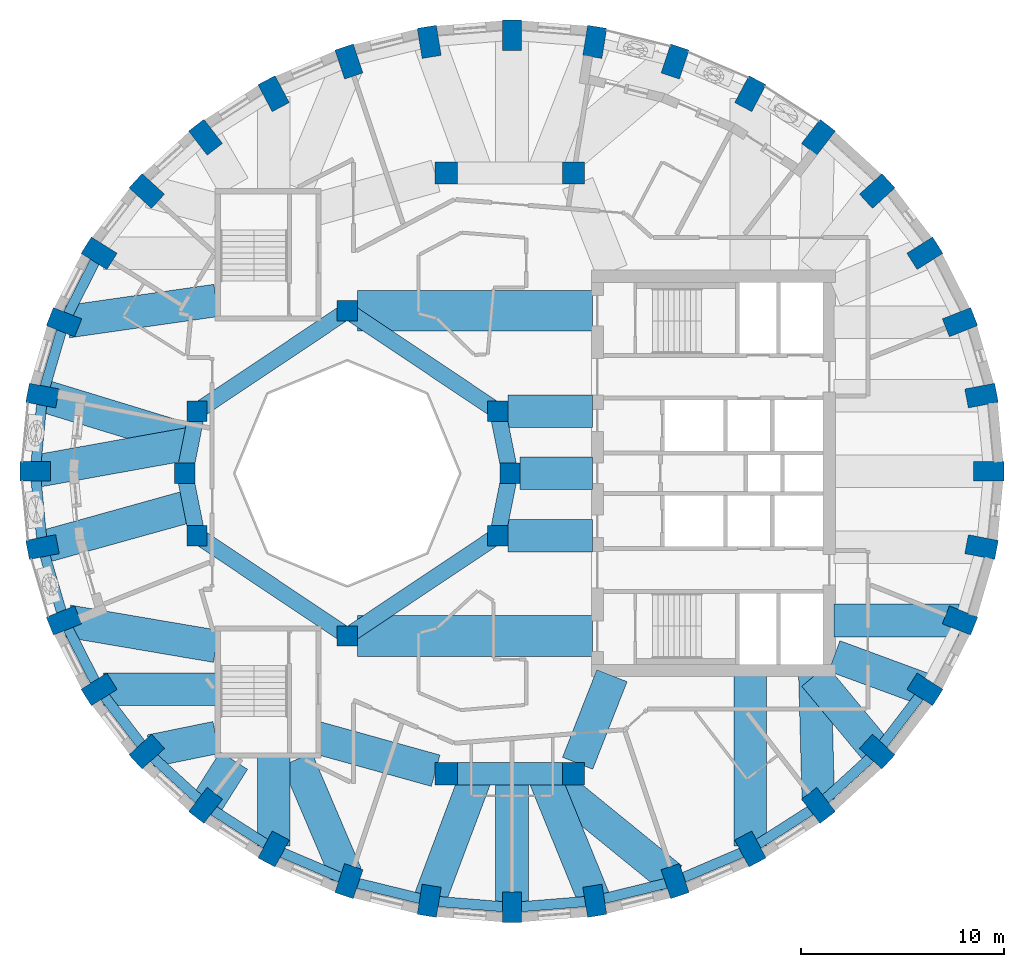
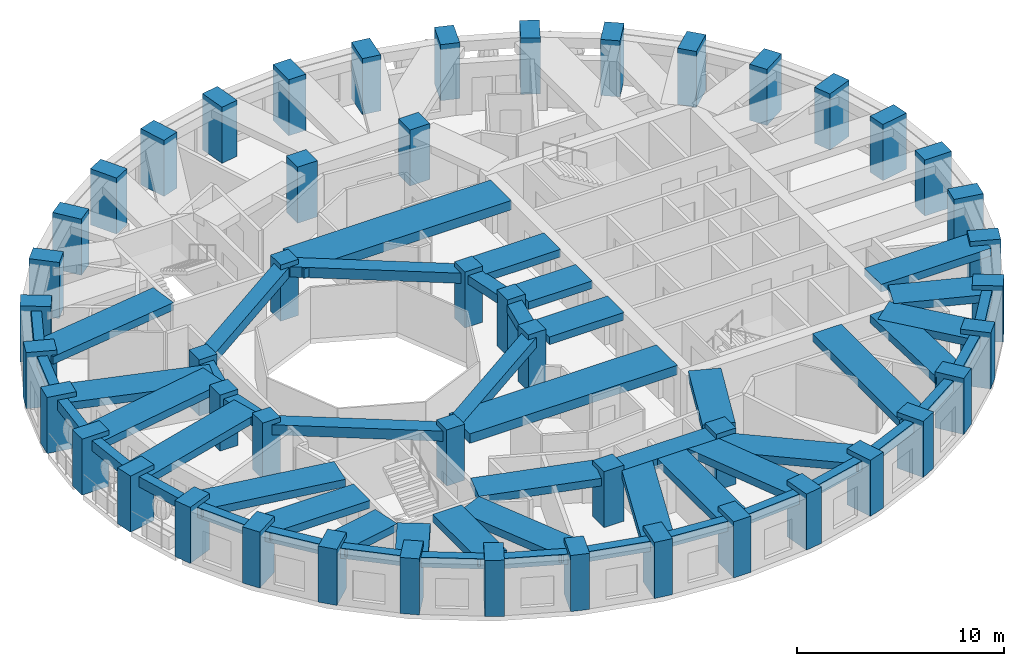
# One storey, part 1 of 12: 53 beams, 48 columns.
"""IFC4 building model written with IfcOpenShell, lengths in metres."""

from ifc_helpers import new_model, si_unit, direction, frame, origin, origin_2d, place, context, subcontext, project, spatial, rectangle, extrude, material, material_profile, profile_set, type_object, element, save


model = new_model("IFC4")

# Units and contexts
model_context = context("Model", 3, precision=1e-05, world=origin(), true_north=direction((0.0, 1.0)))
body_context = subcontext(model_context, "Body", "Model", "MODEL_VIEW")
ifc_project = project(units=[si_unit("LENGTHUNIT", "METRE"), si_unit("AREAUNIT", "SQUARE_METRE"), si_unit("VOLUMEUNIT", "CUBIC_METRE"), si_unit("PLANEANGLEUNIT", "RADIAN"), si_unit("MASSUNIT", "GRAM", prefix="KILO")], contexts=[model_context])

# Site, building, storey
site_placement = place(None, origin())
site = spatial("IfcSite", under=ifc_project, at=site_placement, CompositionType="ELEMENT")
building_placement = place(site_placement, origin())
building = spatial("IfcBuilding", under=site, at=building_placement, Name="Taillehof Tower", CompositionType="ELEMENT")
storey_placement = place(building_placement, frame((0.0, 0.0, 148.39990234375)))
storey = spatial("IfcBuildingStorey", under=building, at=storey_placement, Name="L41", CompositionType="ELEMENT", Elevation=148.39990234375)

# Columns
ifc_material_1 = material(Name="Concrete C50/60", Category="concrete")
ifc_material_profile_1 = material_profile(ifc_material_1, rectangle(XDim=1.0, YDim=1.0, at=origin_2d()), Name="RC 1000x1000")
ifc_profile_set_1 = profile_set([ifc_material_profile_1], Name="Concrete C50/60")
column_type_1 = type_object("IfcColumnType", Name="Atrium ring column C50/60 1000x1000", PredefinedType="COLUMN", material=ifc_profile_set_1)
for number, where, z_axis, x_axis, name in (
    (1, (0.0, 0.0, 0.0), (0.0, 0.0, 1.0), (1.0, 0.0, 0.0), "Column AC01"),
    (2, (-0.60888671875, 3.0615234375, 0.0), (0.0, 0.0, 1.0), (1.0, 0.0, 0.0), "Column AC02"),
    (3, (-8.0, 8.0, 0.0), (0.0, 0.0, 1.0), (1.0, 0.0, 0.0), "Column AC05"),
    (4, (-15.39111328125, 3.0615234375, 0.0), (0.0, 0.0, 1.0), (1.0, 0.0, 0.0), "Column AC08"),
    (5, (-16.0, 0.0, 0.0), (0.0, 0.0, 1.0), (1.0, 0.0, 0.0), "Column AC09"),
    (6, (-15.39111328125, -3.0615234375, 0.0), (0.0, 0.0, 1.0), (1.0, 0.0, 0.0), "Column AC10"),
    (7, (-8.0, -8.0, 0.0), (0.0, 0.0, 1.0), (1.0, 0.0, 0.0), "Column AC13"),
    (8, (-0.60888671875, -3.0615234375, 0.0), (0.0, 0.0, 1.0), (1.0, 0.0, 0.0), "Column AC16"),
):
    element("IfcColumn", number, at=place(storey_placement, frame(where, z_axis=z_axis, x_axis=x_axis)), inside=storey, type_object=column_type_1, Name=name, PredefinedType="COLUMN", context=body_context, shape_type="SweptSolid", body=[
        extrude(rectangle(XDim=1.0, YDim=1.0, at=origin_2d()), origin(), (0.0, 0.0, 1.0), 3.300048828125),
    ])
ifc_material_2 = material(Name="Concrete C50/60", Category="concrete")
ifc_material_profile_2 = material_profile(ifc_material_2, rectangle(XDim=1.10009765625, YDim=1.10009765625, at=origin_2d()), Name="RC 1100x1100")
ifc_profile_set_2 = profile_set([ifc_material_profile_2], Name="Concrete C50/60")
column_type_2 = type_object("IfcColumnType", Name="Mid-ring column C50/60 1100x1100", PredefinedType="COLUMN", material=ifc_profile_set_2)
for number, where, z_axis, x_axis, name in (
    (9, (3.125732421875, 14.772216796875, 0.0), (0.0, 0.0, 1.0), (1.0, 0.0, 0.0), "Column MC05"),
    (10, (-3.125732421875, 14.772216796875, 0.0), (0.0, 0.0, 1.0), (1.0, 0.0, 0.0), "Column MC06"),
    (11, (-3.125732421875, -14.772216796875, 0.0), (0.0, 0.0, 1.0), (1.0, 0.0, 0.0), "Column MC14"),
    (12, (3.125732421875, -14.772216796875, 0.0), (0.0, 0.0, 1.0), (1.0, 0.0, 0.0), "Column MC15"),
):
    element("IfcColumn", number, at=place(storey_placement, frame(where, z_axis=z_axis, x_axis=x_axis)), inside=storey, type_object=column_type_2, Name=name, PredefinedType="COLUMN", context=body_context, shape_type="SweptSolid", body=[
        extrude(rectangle(XDim=1.10009765625, YDim=1.10009765625, at=origin_2d()), origin(), (0.0, 0.0, 1.0), 3.300048828125),
    ])
ifc_material_3 = material(Name="Concrete C60/75", Category="concrete")
ifc_material_profile_3 = material_profile(ifc_material_3, rectangle(XDim=1.5, YDim=0.949951171875, at=origin_2d()), Name="RC 1500x950")
ifc_profile_set_3 = profile_set([ifc_material_profile_3], Name="Concrete C60/75")
column_type_3 = type_object("IfcColumnType", Name="Ring column C60/75 1500x950", PredefinedType="COLUMN", material=ifc_profile_set_3)
for number, where, z_axis, x_axis, name in (
    (13, (23.550048828125, 0.10009765625, 0.0), (0.0, 0.0, 1.0), (1.0, 0.0, 0.0), "Ring column RC01"),
    (14, (23.19384765625, 3.82470703125, 0.0), (0.0, 0.0, 1.0), (0.98202380309, 0.188757119508, 0.0), "Ring column RC02"),
    (15, (22.1357421875, 7.436279296875, 0.0), (0.0, 0.0, 1.0), (0.929511471762, 0.368793199317, 0.0), "Ring column RC03"),
    (16, (20.408203125, 10.824951171875, 0.0), (0.0, 0.0, 1.0), (0.846334224225, 0.532652213837, 0.0), "Ring column RC04"),
    (17, (18.063720703125, 13.8876953125, 0.0), (0.0, 0.0, 1.0), (0.7378786352, 0.674933418727, 0.0), "Ring column RC05"),
    (18, (15.17333984375, 16.53173828125, 0.0), (0.0, 0.0, 1.0), (0.609970500644, 0.792424121506, 0.0), "Ring column RC06"),
    (19, (11.824951171875, 18.67626953125, 0.0), (0.0, 0.0, 1.0), (0.468042101717, 0.883706167807, 0.0), "Ring column RC07"),
    (20, (8.120361328125, 20.25634765625, 0.0), (0.0, 0.0, 1.0), (0.316702950283, 0.948524771043, 0.0), "Ring column RC08"),
    (21, (4.172119140625, 21.22412109375, 0.0), (0.0, 0.0, 1.0), (0.159679090777, 0.987168976401, 0.0), "Ring column RC09"),
    (22, (0.10009765625, 21.550048828125, 0.0), (0.0, 0.0, 1.0), (0.0, 1.0, 0.0), "Ring column RC10"),
    (23, (-3.97216796875, 21.22412109375, 0.0), (0.0, 0.0, 1.0), (-0.159679090777, 0.987168976401, 0.0), "Ring column RC11"),
    (24, (-7.92041015625, 20.25634765625, 0.0), (0.0, 0.0, 1.0), (-0.316702950283, 0.948524771043, 0.0), "Ring column RC12"),
    (25, (-11.625, 18.67626953125, 0.0), (0.0, 0.0, 1.0), (-0.468042101717, 0.883706167807, 0.0), "Ring column RC13"),
    (26, (-14.973388671875, 16.53173828125, 0.0), (0.0, 0.0, 1.0), (-0.609970500644, 0.792424121506, 0.0), "Ring column RC14"),
    (27, (-17.86376953125, 13.8876953125, 0.0), (0.0, 0.0, 1.0), (-0.7378786352, 0.674933418727, 0.0), "Ring column RC15"),
    (28, (-20.208251953125, 10.824951171875, 0.0), (0.0, 0.0, 1.0), (-0.846334224225, 0.532652213837, 0.0), "Ring column RC16"),
    (29, (-21.935791015625, 7.436279296875, 0.0), (0.0, 0.0, 1.0), (-0.929511471762, 0.368793199317, 0.0), "Ring column RC17"),
    (30, (-22.99365234375, 3.82470703125, 0.0), (0.0, 0.0, 1.0), (-0.98202380309, 0.188757119508, 0.0), "Ring column RC18"),
    (31, (-23.35009765625, 0.10009765625, 0.0), (0.0, 0.0, 1.0), (-1.0, 0.0, 0.0), "Ring column RC19"),
    (32, (-22.99365234375, -3.624755859375, 0.0), (0.0, 0.0, 1.0), (-0.98202380309, -0.188757119508, 0.0), "Ring column RC20"),
    (33, (-21.935791015625, -7.236328125, 0.0), (0.0, 0.0, 1.0), (-0.929511471762, -0.368793199317, 0.0), "Ring column RC21"),
    (34, (-20.208251953125, -10.625, 0.0), (0.0, 0.0, 1.0), (-0.846334224225, -0.532652213837, 0.0), "Ring column RC22"),
    (35, (-17.86376953125, -13.687744140625, 0.0), (0.0, 0.0, 1.0), (-0.7378786352, -0.674933418727, 0.0), "Ring column RC23"),
    (36, (-14.973388671875, -16.33154296875, 0.0), (0.0, 0.0, 1.0), (-0.609970500644, -0.792424121506, 0.0), "Ring column RC24"),
    (37, (-11.625, -18.476318359375, 0.0), (0.0, 0.0, 1.0), (-0.468042101717, -0.883706167807, 0.0), "Ring column RC25"),
    (38, (-7.92041015625, -20.056396484375, 0.0), (0.0, 0.0, 1.0), (-0.316702950283, -0.948524771043, 0.0), "Ring column RC26"),
    (39, (-3.97216796875, -21.024169921875, 0.0), (0.0, 0.0, 1.0), (-0.159679090777, -0.987168976401, 0.0), "Ring column RC27"),
    (40, (0.10009765625, -21.35009765625, 0.0), (0.0, 0.0, 1.0), (0.0, -1.0, 0.0), "Ring column RC28"),
    (41, (4.172119140625, -21.024169921875, 0.0), (0.0, 0.0, 1.0), (0.159679090777, -0.987168976401, 0.0), "Ring column RC29"),
    (42, (8.120361328125, -20.056396484375, 0.0), (0.0, 0.0, 1.0), (0.316702950283, -0.948524771043, 0.0), "Ring column RC30"),
    (43, (11.824951171875, -18.476318359375, 0.0), (0.0, 0.0, 1.0), (0.468042101717, -0.883706167807, 0.0), "Ring column RC31"),
    (44, (15.17333984375, -16.33154296875, 0.0), (0.0, 0.0, 1.0), (0.609970500644, -0.792424121506, 0.0), "Ring column RC32"),
    (45, (18.063720703125, -13.687744140625, 0.0), (0.0, 0.0, 1.0), (0.7378786352, -0.674933418727, 0.0), "Ring column RC33"),
    (46, (20.408203125, -10.625, 0.0), (0.0, 0.0, 1.0), (0.846334224225, -0.532652213837, 0.0), "Ring column RC34"),
    (47, (22.1357421875, -7.236328125, 0.0), (0.0, 0.0, 1.0), (0.929511471762, -0.368793199317, 0.0), "Ring column RC35"),
    (48, (23.19384765625, -3.624755859375, 0.0), (0.0, 0.0, 1.0), (0.98202380309, -0.188757119508, 0.0), "Ring column RC36"),
):
    element("IfcColumn", number, at=place(storey_placement, frame(where, z_axis=z_axis, x_axis=x_axis)), inside=storey, type_object=column_type_3, Name=name, PredefinedType="COLUMN", context=body_context, shape_type="SweptSolid", body=[
        extrude(rectangle(XDim=1.5, YDim=0.949951171875, at=origin_2d()), origin(), (0.0, 0.0, 1.0), 3.300048828125),
    ])

# Beams
ifc_material_4 = material(Name="Concrete C50/60", Category="concrete")
ifc_material_profile_4 = material_profile(ifc_material_4, rectangle(XDim=0.800048828125, YDim=0.5, at=origin_2d()), Name="RC 800x500")
ifc_profile_set_4 = profile_set([ifc_material_profile_4], Name="Concrete C50/60")
beam_type_1 = type_object("IfcBeamType", Name="Atrium ring beam C50/60 800x500", PredefinedType="BEAM", material=ifc_profile_set_4)
for number, where, z_axis, x_axis, name in (
    (49, (0.0, 0.0, 2.77001953125), (-0.195063155143, 0.980790683839, 0.0), (-0.980790683839, -0.195063155143, 0.0), "Atrium ring beam AB01"),
    (50, (-15.39111328125, 3.0615234375, 2.77001953125), (-0.195063155143, -0.980790683839, 0.0), (0.980790683839, -0.195063155143, 0.0), "Atrium ring beam AB04"),
    (51, (-16.0, 0.0, 2.77001953125), (0.195063155143, -0.980790683839, 0.0), (0.980790683839, 0.195063155143, 0.0), "Atrium ring beam AB05"),
    (52, (-0.60888671875, -3.0615234375, 2.77001953125), (0.195063155143, 0.980790683839, 0.0), (-0.980790683839, 0.195063155143, 0.0), "Atrium ring beam AB08"),
):
    element("IfcBeam", number, at=place(storey_placement, frame(where, z_axis=z_axis, x_axis=x_axis)), inside=storey, type_object=beam_type_1, Name=name, PredefinedType="BEAM", context=body_context, shape_type="SweptSolid", body=[
        extrude(rectangle(XDim=0.800048828125, YDim=0.5, at=origin_2d()), origin(), (0.0, 0.0, 1.0), 3.12158203125),
    ])
ifc_material_5 = material(Name="Concrete C50/60", Category="concrete")
ifc_material_profile_5 = material_profile(ifc_material_5, rectangle(XDim=0.800048828125, YDim=0.60009765625, at=origin_2d()), Name="RC 800x600")
ifc_profile_set_5 = profile_set([ifc_material_profile_5], Name="Concrete C50/60")
beam_type_2 = type_object("IfcBeamType", Name="Atrium ring beam C50/60 800x600", PredefinedType="BEAM", material=ifc_profile_set_5)
for number, where, z_axis, x_axis, name in (
    (53, (-0.60888671875, 3.0615234375, 2.72021484375), (-0.831475195687, 0.555561876804, 0.0), (-0.555561876804, -0.831475195687, 0.0), "Atrium ring beam AB02"),
    (54, (-8.0, 8.0, 2.72021484375), (-0.831475195687, -0.555561876804, 0.0), (0.555561876804, -0.831475195687, 0.0), "Atrium ring beam AB03"),
    (55, (-15.39111328125, -3.0615234375, 2.72021484375), (0.831475195687, -0.555561876804, 0.0), (0.555561876804, 0.831475195687, 0.0), "Atrium ring beam AB06"),
    (56, (-8.0, -8.0, 2.72021484375), (0.831475195687, 0.555561876804, 0.0), (-0.555561876804, 0.831475195687, 0.0), "Atrium ring beam AB07"),
):
    element("IfcBeam", number, at=place(storey_placement, frame(where, z_axis=z_axis, x_axis=x_axis)), inside=storey, type_object=beam_type_2, Name=name, PredefinedType="BEAM", context=body_context, shape_type="SweptSolid", body=[
        extrude(rectangle(XDim=0.800048828125, YDim=0.60009765625, at=origin_2d()), origin(), (0.0, 0.0, 1.0), 8.88916015625),
    ])
ifc_material_6 = material(Name="Concrete C50/60", Category="concrete")
ifc_material_profile_6 = material_profile(ifc_material_6, rectangle(XDim=1.10009765625, YDim=0.60009765625, at=origin_2d()), Name="RC 1100x600")
ifc_profile_set_6 = profile_set([ifc_material_profile_6], Name="Concrete C50/60")
beam_type_3 = type_object("IfcBeamType", Name="Mid-ring beam C50/60 1100x600", PredefinedType="BEAM", material=ifc_profile_set_6)
beam_1_placement = place(storey_placement, frame((-3.125732421875, -14.772216796875, 2.72021484375), z_axis=(1.0, 0.0, 0.0), x_axis=(0.0, 1.0, 0.0)))
element("IfcBeam", 57, at=beam_1_placement, inside=storey, type_object=beam_type_3, Name="Mid-ring beam MB02", PredefinedType="BEAM", context=body_context, shape_type="SweptSolid", body=[
    extrude(rectangle(XDim=1.10009765625, YDim=0.60009765625, at=origin_2d()), origin(), (0.0, 0.0, 1.0), 6.25146484375),
])
ifc_material_7 = material(Name="Concrete C50/60", Category="concrete")
ifc_material_profile_7 = material_profile(ifc_material_7, rectangle(XDim=1.60009765625, YDim=0.449951171875, at=origin_2d()), Name="RC 1600x450")
ifc_profile_set_7 = profile_set([ifc_material_profile_7], Name="Concrete C50/60")
beam_type_4 = type_object("IfcBeamType", Name="Radial band beam C50/60 1600x450", PredefinedType="BEAM", material=ifc_profile_set_7)
beam_2_placement = place(storey_placement, frame((-21.766845703125, 7.46044921875, 2.795166015625), z_axis=(0.989922388732, 0.141610961042, 0.0), x_axis=(-0.141610961042, 0.989922388732, 0.0)))
element("IfcBeam", 58, at=beam_2_placement, inside=storey, type_object=beam_type_4, Name="Radial band beam RB17", PredefinedType="BEAM", context=body_context, shape_type="SweptSolid", body=[
    extrude(rectangle(XDim=1.60009765625, YDim=0.449951171875, at=origin_2d()), origin(), (0.0, 0.0, 1.0), 7.390869140625),
])
beam_3_placement = place(storey_placement, frame((-22.99365234375, 3.82470703125, 2.795166015625), z_axis=(0.956324293447, -0.292307792854, 0.0), x_axis=(0.292307792854, 0.956324293447, 0.0)))
element("IfcBeam", 59, at=beam_3_placement, inside=storey, type_object=beam_type_4, Name="Radial band beam RB18", PredefinedType="BEAM", context=body_context, shape_type="SweptSolid", body=[
    extrude(rectangle(XDim=1.60009765625, YDim=0.449951171875, at=origin_2d()), origin(), (0.0, 0.0, 1.0), 7.643798828125),
])
beam_4_placement = place(storey_placement, frame((-23.35009765625, 0.10009765625, 2.795166015625), z_axis=(0.984286763882, 0.176577366745, 0.0), x_axis=(-0.176577366745, 0.984286763882, 0.0)))
element("IfcBeam", 60, at=beam_4_placement, inside=storey, type_object=beam_type_4, Name="Radial band beam RB19", PredefinedType="BEAM", context=body_context, shape_type="SweptSolid", body=[
    extrude(rectangle(XDim=1.60009765625, YDim=0.449951171875, at=origin_2d()), origin(), (0.0, 0.0, 1.0), 7.764892578125),
])
beam_5_placement = place(storey_placement, frame((-22.99365234375, -3.624755859375, 2.795166015625), z_axis=(0.96338688135, 0.268115118639, 0.0), x_axis=(-0.268115118639, 0.96338688135, 0.0)))
element("IfcBeam", 61, at=beam_5_placement, inside=storey, type_object=beam_type_4, Name="Radial band beam RB20", PredefinedType="BEAM", context=body_context, shape_type="SweptSolid", body=[
    extrude(rectangle(XDim=1.60009765625, YDim=0.449951171875, at=origin_2d()), origin(), (0.0, 0.0, 1.0), 7.587890625),
])
beam_6_placement = place(storey_placement, frame((-21.744140625, -7.268798828125, 2.795166015625), z_axis=(0.985864460395, -0.167544817079, 0.0), x_axis=(0.167544817079, 0.985864460395, 0.0)))
element("IfcBeam", 62, at=beam_6_placement, inside=storey, type_object=beam_type_4, Name="Radial band beam RB21", PredefinedType="BEAM", context=body_context, shape_type="SweptSolid", body=[
    extrude(rectangle(XDim=1.60009765625, YDim=0.449951171875, at=origin_2d()), origin(), (0.0, 0.0, 1.0), 7.39794921875),
])
beam_7_placement = place(storey_placement, frame((-19.9990234375, -10.625, 2.795166015625), z_axis=(1.0, 0.0, 0.0), x_axis=(0.0, 1.0, 0.0)))
element("IfcBeam", 63, at=beam_7_placement, inside=storey, type_object=beam_type_4, Name="Radial band beam RB22", PredefinedType="BEAM", context=body_context, shape_type="SweptSolid", body=[
    extrude(rectangle(XDim=1.60009765625, YDim=0.449951171875, at=origin_2d()), origin(), (0.0, 0.0, 1.0), 5.549072265625),
])
beam_8_placement = place(storey_placement, frame((-17.678955078125, -13.64990234375, 2.795166015625), z_axis=(0.979736748385, 0.200289550059, 0.0), x_axis=(-0.200289550059, 0.979736748385, 0.0)))
element("IfcBeam", 64, at=beam_8_placement, inside=storey, type_object=beam_type_4, Name="Radial band beam RB23", PredefinedType="BEAM", context=body_context, shape_type="SweptSolid", body=[
    extrude(rectangle(XDim=1.60009765625, YDim=0.449951171875, at=origin_2d()), origin(), (0.0, 0.0, 1.0), 3.294677734375),
])
beam_9_placement = place(storey_placement, frame((-14.973388671875, -16.33154296875, 2.795166015625), z_axis=(0.534207803896, 0.845353193794, 0.0), x_axis=(-0.845353193794, 0.534207803896, 0.0)))
element("IfcBeam", 65, at=beam_9_placement, inside=storey, type_object=beam_type_4, Name="Radial band beam RB24", PredefinedType="BEAM", context=body_context, shape_type="SweptSolid", body=[
    extrude(rectangle(XDim=1.60009765625, YDim=0.449951171875, at=origin_2d()), origin(), (0.0, 0.0, 1.0), 2.608154296875),
])
beam_10_placement = place(storey_placement, frame((-11.625, -18.33642578125, 2.795166015625), z_axis=(0.0, 1.0, 0.0), x_axis=(-1.0, 0.0, 0.0)))
element("IfcBeam", 66, at=beam_10_placement, inside=storey, type_object=beam_type_4, Name="Radial band beam RB25", PredefinedType="BEAM", context=body_context, shape_type="SweptSolid", body=[
    extrude(rectangle(XDim=1.60009765625, YDim=0.449951171875, at=origin_2d()), origin(), (0.0, 0.0, 1.0), 4.386474609375),
])
beam_11_placement = place(storey_placement, frame((-8.049072265625, -19.75390625, 2.795166015625), z_axis=(-0.391879389257, 0.9200166, 0.0), x_axis=(-0.9200166, -0.391879389257, 0.0)))
element("IfcBeam", 67, at=beam_11_placement, inside=storey, type_object=beam_type_4, Name="Radial band beam RB26", PredefinedType="BEAM", context=body_context, shape_type="SweptSolid", body=[
    extrude(rectangle(XDim=1.60009765625, YDim=0.449951171875, at=origin_2d()), origin(), (0.0, 0.0, 1.0), 6.18505859375),
])
beam_12_placement = place(storey_placement, frame((-3.97216796875, -21.024169921875, 2.795166015625), z_axis=(0.351379850477, 0.936232984186, 0.0), x_axis=(-0.936232984186, 0.351379850477, 0.0)))
element("IfcBeam", 68, at=beam_12_placement, inside=storey, type_object=beam_type_4, Name="Radial band beam RB27", PredefinedType="BEAM", context=body_context, shape_type="SweptSolid", body=[
    extrude(rectangle(XDim=1.60009765625, YDim=0.449951171875, at=origin_2d()), origin(), (0.0, 0.0, 1.0), 6.677734375),
])
beam_13_placement = place(storey_placement, frame((0.10009765625, -21.35009765625, 2.795166015625), z_axis=(0.0, 1.0, 0.0), x_axis=(-1.0, 0.0, 0.0)))
element("IfcBeam", 69, at=beam_13_placement, inside=storey, type_object=beam_type_4, Name="Radial band beam RB28", PredefinedType="BEAM", context=body_context, shape_type="SweptSolid", body=[
    extrude(rectangle(XDim=1.60009765625, YDim=0.449951171875, at=origin_2d()), origin(), (0.0, 0.0, 1.0), 6.577880859375),
])
beam_14_placement = place(storey_placement, frame((4.172119140625, -21.024169921875, 2.795166015625), z_axis=(-0.377207279938, 0.926128861424, 0.0), x_axis=(-0.926128861424, -0.377207279938, 0.0)))
element("IfcBeam", 70, at=beam_14_placement, inside=storey, type_object=beam_type_4, Name="Radial band beam RB29", PredefinedType="BEAM", context=body_context, shape_type="SweptSolid", body=[
    extrude(rectangle(XDim=1.60009765625, YDim=0.449951171875, at=origin_2d()), origin(), (0.0, 0.0, 1.0), 6.750732421875),
])
beam_15_placement = place(storey_placement, frame((7.95556640625, -19.92236328125, 2.795166015625), z_axis=(-0.775687012842, 0.631117784655, 0.0), x_axis=(-0.631117784655, -0.775687012842, 0.0)))
element("IfcBeam", 71, at=beam_15_placement, inside=storey, type_object=beam_type_4, Name="Radial band beam RB30", PredefinedType="BEAM", context=body_context, shape_type="SweptSolid", body=[
    extrude(rectangle(XDim=1.60009765625, YDim=0.449951171875, at=origin_2d()), origin(), (0.0, 0.0, 1.0), 8.048583984375),
])
beam_16_placement = place(storey_placement, frame((11.824951171875, -18.33642578125, 2.795166015625), z_axis=(0.0, 1.0, 0.0), x_axis=(-1.0, 0.0, 0.0)))
element("IfcBeam", 72, at=beam_16_placement, inside=storey, type_object=beam_type_4, Name="Radial band beam RB31", PredefinedType="BEAM", context=body_context, shape_type="SweptSolid", body=[
    extrude(rectangle(XDim=1.60009765625, YDim=0.449951171875, at=origin_2d()), origin(), (0.0, 0.0, 1.0), 8.386474609375),
])
beam_17_placement = place(storey_placement, frame((15.166015625, -16.060546875, 2.795166015625), z_axis=(-0.027397917621, 0.999624606595, 0.0), x_axis=(-0.999624606595, -0.027397917621, 0.0)))
element("IfcBeam", 73, at=beam_17_placement, inside=storey, type_object=beam_type_4, Name="Radial band beam RB32", PredefinedType="BEAM", context=body_context, shape_type="SweptSolid", body=[
    extrude(rectangle(XDim=1.60009765625, YDim=0.449951171875, at=origin_2d()), origin(), (0.0, 0.0, 1.0), 6.11279296875),
])
beam_18_placement = place(storey_placement, frame((18.063720703125, -13.687744140625, 2.795166015625), z_axis=(-0.639018777093, 0.769191135234, 0.0), x_axis=(-0.769191135234, -0.639018777093, 0.0)))
element("IfcBeam", 74, at=beam_18_placement, inside=storey, type_object=beam_type_4, Name="Radial band beam RB33", PredefinedType="BEAM", context=body_context, shape_type="SweptSolid", body=[
    extrude(rectangle(XDim=1.60009765625, YDim=0.449951171875, at=origin_2d()), origin(), (0.0, 0.0, 1.0), 4.844482421875),
])
beam_19_placement = place(storey_placement, frame((20.408203125, -10.625, 2.795166015625), z_axis=(-0.938275503033, 0.345888826661, 0.0), x_axis=(-0.345888826661, -0.938275503033, 0.0)))
element("IfcBeam", 75, at=beam_19_placement, inside=storey, type_object=beam_type_4, Name="Radial band beam RB34", PredefinedType="BEAM", context=body_context, shape_type="SweptSolid", body=[
    extrude(rectangle(XDim=1.60009765625, YDim=0.449951171875, at=origin_2d()), origin(), (0.0, 0.0, 1.0), 4.748046875),
])
beam_20_placement = place(storey_placement, frame((22.08642578125, -7.236328125, 2.795166015625), z_axis=(-1.0, 0.0, 0.0), x_axis=(0.0, -1.0, 0.0)))
element("IfcBeam", 76, at=beam_20_placement, inside=storey, type_object=beam_type_4, Name="Radial band beam RB35", PredefinedType="BEAM", context=body_context, shape_type="SweptSolid", body=[
    extrude(rectangle(XDim=1.60009765625, YDim=0.449951171875, at=origin_2d()), origin(), (0.0, 0.0, 1.0), 6.136474609375),
])
beam_21_placement = place(storey_placement, frame((0.5, 0.0, 2.795166015625), z_axis=(1.0, 0.0, 0.0), x_axis=(0.0, 1.0, 0.0)))
element("IfcBeam", 77, at=beam_21_placement, inside=storey, type_object=beam_type_4, Name="Inner band beam IB101", PredefinedType="BEAM", context=body_context, shape_type="SweptSolid", body=[
    extrude(rectangle(XDim=1.60009765625, YDim=0.449951171875, at=origin_2d()), origin(), (0.0, 0.0, 1.0), 3.550048828125),
])
for number, where, z_axis, x_axis, name in (
    (78, (-0.10888671875, 3.0615234375, 2.795166015625), (1.0, 0.0, 0.0), (0.0, 1.0, 0.0), "Inner band beam IB102"),
    (79, (-0.10888671875, -3.0615234375, 2.795166015625), (1.0, 0.0, 0.0), (0.0, 1.0, 0.0), "Inner band beam IB116"),
):
    element("IfcBeam", number, at=place(storey_placement, frame(where, z_axis=z_axis, x_axis=x_axis)), inside=storey, type_object=beam_type_4, Name=name, PredefinedType="BEAM", context=body_context, shape_type="SweptSolid", body=[
        extrude(rectangle(XDim=1.60009765625, YDim=0.449951171875, at=origin_2d()), origin(), (0.0, 0.0, 1.0), 4.158935546875),
    ])
beam_22_placement = place(storey_placement, frame((-3.655517578125, -14.624755859375, 2.795166015625), z_axis=(-0.963459369536, 0.267854518821, 0.0), x_axis=(-0.267854518821, -0.963459369536, 0.0)))
element("IfcBeam", 80, at=beam_22_placement, inside=storey, type_object=beam_type_4, Name="Inner band beam IB214", PredefinedType="BEAM", context=body_context, shape_type="SweptSolid", body=[
    extrude(rectangle(XDim=1.60009765625, YDim=0.449951171875, at=origin_2d()), origin(), (0.0, 0.0, 1.0), 6.096923828125),
])
beam_23_placement = place(storey_placement, frame((3.32666015625, -14.26025390625, 2.795166015625), z_axis=(0.365588707223, 0.930776502255, 0.0), x_axis=(-0.930776502255, 0.365588707223, 0.0)))
element("IfcBeam", 81, at=beam_23_placement, inside=storey, type_object=beam_type_4, Name="Inner band beam IB215", PredefinedType="BEAM", context=body_context, shape_type="SweptSolid", body=[
    extrude(rectangle(XDim=1.60009765625, YDim=0.449951171875, at=origin_2d()), origin(), (0.0, 0.0, 1.0), 4.627197265625),
])
ifc_material_8 = material(Name="Concrete C50/60", Category="concrete")
ifc_material_profile_8 = material_profile(ifc_material_8, rectangle(XDim=2.0, YDim=0.550048828125, at=origin_2d()), Name="RC 2000x550")
ifc_profile_set_8 = profile_set([ifc_material_profile_8], Name="Concrete C50/60")
beam_type_5 = type_object("IfcBeamType", Name="Radial band beam C50/60 2000x550", PredefinedType="BEAM", material=ifc_profile_set_8)
for number, where, z_axis, x_axis, name in (
    (82, (-7.5, 8.0, 2.7451171875), (1.0, 0.0, 0.0), (0.0, 1.0, 0.0), "Inner band beam IB105"),
    (83, (-7.5, -8.0, 2.7451171875), (1.0, 0.0, 0.0), (0.0, 1.0, 0.0), "Inner band beam IB113"),
):
    element("IfcBeam", number, at=place(storey_placement, frame(where, z_axis=z_axis, x_axis=x_axis)), inside=storey, type_object=beam_type_5, Name=name, PredefinedType="BEAM", context=body_context, shape_type="SweptSolid", body=[
        extrude(rectangle(XDim=2.0, YDim=0.550048828125, at=origin_2d()), origin(), (0.0, 0.0, 1.0), 11.550048828125),
    ])
ifc_material_9 = material(Name="Concrete C50/60", Category="concrete")
ifc_material_profile_9 = material_profile(ifc_material_9, rectangle(XDim=0.5, YDim=0.60009765625, at=origin_2d()), Name="RC 500x600")
ifc_profile_set_9 = profile_set([ifc_material_profile_9], Name="Concrete C50/60")
beam_type_6 = type_object("IfcBeamType", Name="Spandrel beam C50/60 500x600", PredefinedType="SPANDREL", material=ifc_profile_set_9)
beam_24_placement = place(storey_placement, frame((-20.208251953125, 10.824951171875, 2.72021484375), z_axis=(-0.454183451696, -0.890908183937, 0.0), x_axis=(0.890908183937, -0.454183451696, 0.0)))
element("IfcBeam", 84, at=beam_24_placement, inside=storey, type_object=beam_type_6, Name="Spandrel beam SB16", PredefinedType="SPANDREL", context=body_context, shape_type="SweptSolid", body=[
    extrude(rectangle(XDim=0.5, YDim=0.60009765625, at=origin_2d()), origin(), (0.0, 0.0, 1.0), 3.8037109375),
])
beam_25_placement = place(storey_placement, frame((-21.935791015625, 7.436279296875, 2.72021484375), z_axis=(-0.281098416478, -0.959678946447, 0.0), x_axis=(0.959678946447, -0.281098416478, 0.0)))
element("IfcBeam", 85, at=beam_25_placement, inside=storey, type_object=beam_type_6, Name="Spandrel beam SB17", PredefinedType="SPANDREL", context=body_context, shape_type="SweptSolid", body=[
    extrude(rectangle(XDim=0.5, YDim=0.60009765625, at=origin_2d()), origin(), (0.0, 0.0, 1.0), 3.763427734375),
])
beam_26_placement = place(storey_placement, frame((-22.99365234375, 3.82470703125, 2.72021484375), z_axis=(-0.095264805358, -0.995451966124, 0.0), x_axis=(0.995451966124, -0.095264805358, 0.0)))
element("IfcBeam", 86, at=beam_26_placement, inside=storey, type_object=beam_type_6, Name="Spandrel beam SB18", PredefinedType="SPANDREL", context=body_context, shape_type="SweptSolid", body=[
    extrude(rectangle(XDim=0.5, YDim=0.60009765625, at=origin_2d()), origin(), (0.0, 0.0, 1.0), 3.74169921875),
])
beam_27_placement = place(storey_placement, frame((-23.35009765625, 0.10009765625, 2.72021484375), z_axis=(0.095258618013, -0.995452558234, 0.0), x_axis=(0.995452558234, 0.095258618013, 0.0)))
element("IfcBeam", 87, at=beam_27_placement, inside=storey, type_object=beam_type_6, Name="Spandrel beam SB19", PredefinedType="SPANDREL", context=body_context, shape_type="SweptSolid", body=[
    extrude(rectangle(XDim=0.5, YDim=0.60009765625, at=origin_2d()), origin(), (0.0, 0.0, 1.0), 3.741943359375),
])
beam_28_placement = place(storey_placement, frame((-22.99365234375, -3.624755859375, 2.72021484375), z_axis=(0.281098416478, -0.959678946447, 0.0), x_axis=(0.959678946447, 0.281098416478, 0.0)))
element("IfcBeam", 88, at=beam_28_placement, inside=storey, type_object=beam_type_6, Name="Spandrel beam SB20", PredefinedType="SPANDREL", context=body_context, shape_type="SweptSolid", body=[
    extrude(rectangle(XDim=0.5, YDim=0.60009765625, at=origin_2d()), origin(), (0.0, 0.0, 1.0), 3.763427734375),
])
beam_29_placement = place(storey_placement, frame((-21.935791015625, -7.236328125, 2.72021484375), z_axis=(0.454183451696, -0.890908183937, 0.0), x_axis=(0.890908183937, 0.454183451696, 0.0)))
element("IfcBeam", 89, at=beam_29_placement, inside=storey, type_object=beam_type_6, Name="Spandrel beam SB21", PredefinedType="SPANDREL", context=body_context, shape_type="SweptSolid", body=[
    extrude(rectangle(XDim=0.5, YDim=0.60009765625, at=origin_2d()), origin(), (0.0, 0.0, 1.0), 3.8037109375),
])
beam_30_placement = place(storey_placement, frame((-20.208251953125, -10.625, 2.72021484375), z_axis=(0.60784004271, -0.794059495553, 0.0), x_axis=(0.794059495553, 0.60784004271, 0.0)))
element("IfcBeam", 90, at=beam_30_placement, inside=storey, type_object=beam_type_6, Name="Spandrel beam SB22", PredefinedType="SPANDREL", context=body_context, shape_type="SweptSolid", body=[
    extrude(rectangle(XDim=0.5, YDim=0.60009765625, at=origin_2d()), origin(), (0.0, 0.0, 1.0), 3.857177734375),
])
beam_31_placement = place(storey_placement, frame((-17.86376953125, -13.687744140625, 2.72021484375), z_axis=(0.737880696592, -0.674931165081, 0.0), x_axis=(0.674931165081, 0.737880696592, 0.0)))
element("IfcBeam", 91, at=beam_31_placement, inside=storey, type_object=beam_type_6, Name="Spandrel beam SB23", PredefinedType="SPANDREL", context=body_context, shape_type="SweptSolid", body=[
    extrude(rectangle(XDim=0.5, YDim=0.60009765625, at=origin_2d()), origin(), (0.0, 0.0, 1.0), 3.917236328125),
])
beam_32_placement = place(storey_placement, frame((-14.973388671875, -16.33154296875, 2.72021484375), z_axis=(0.842065054946, -0.539375975771, 0.0), x_axis=(0.539375975771, 0.842065054946, 0.0)))
element("IfcBeam", 92, at=beam_32_placement, inside=storey, type_object=beam_type_6, Name="Spandrel beam SB24", PredefinedType="SPANDREL", context=body_context, shape_type="SweptSolid", body=[
    extrude(rectangle(XDim=0.5, YDim=0.60009765625, at=origin_2d()), origin(), (0.0, 0.0, 1.0), 3.976318359375),
])
beam_33_placement = place(storey_placement, frame((-11.625, -18.476318359375, 2.72021484375), z_axis=(0.919827173659, -0.392323808351, 0.0), x_axis=(0.392323808351, 0.919827173659, 0.0)))
element("IfcBeam", 93, at=beam_33_placement, inside=storey, type_object=beam_type_6, Name="Spandrel beam SB25", PredefinedType="SPANDREL", context=body_context, shape_type="SweptSolid", body=[
    extrude(rectangle(XDim=0.5, YDim=0.60009765625, at=origin_2d()), origin(), (0.0, 0.0, 1.0), 4.027587890625),
])
beam_34_placement = place(storey_placement, frame((-7.92041015625, -20.056396484375, 2.72021484375), z_axis=(0.971248584585, -0.238067610023, 0.0), x_axis=(0.238067610023, 0.971248584585, 0.0)))
element("IfcBeam", 94, at=beam_34_placement, inside=storey, type_object=beam_type_6, Name="Spandrel beam SB26", PredefinedType="SPANDREL", context=body_context, shape_type="SweptSolid", body=[
    extrude(rectangle(XDim=0.5, YDim=0.60009765625, at=origin_2d()), origin(), (0.0, 0.0, 1.0), 4.065185546875),
])
beam_35_placement = place(storey_placement, frame((-3.97216796875, -21.024169921875, 2.72021484375), z_axis=(0.996812427616, -0.079780850771, 0.0), x_axis=(0.079780850771, 0.996812427616, 0.0)))
element("IfcBeam", 95, at=beam_35_placement, inside=storey, type_object=beam_type_6, Name="Spandrel beam SB27", PredefinedType="SPANDREL", context=body_context, shape_type="SweptSolid", body=[
    extrude(rectangle(XDim=0.5, YDim=0.60009765625, at=origin_2d()), origin(), (0.0, 0.0, 1.0), 4.085205078125),
])
beam_36_placement = place(storey_placement, frame((0.10009765625, -21.35009765625, 2.72021484375), z_axis=(0.996812047205, 0.079785603634, 0.0), x_axis=(-0.079785603634, 0.996812047205, 0.0)))
element("IfcBeam", 96, at=beam_36_placement, inside=storey, type_object=beam_type_6, Name="Spandrel beam SB28", PredefinedType="SPANDREL", context=body_context, shape_type="SweptSolid", body=[
    extrude(rectangle(XDim=0.5, YDim=0.60009765625, at=origin_2d()), origin(), (0.0, 0.0, 1.0), 4.0849609375),
])
beam_37_placement = place(storey_placement, frame((4.172119140625, -21.024169921875, 2.72021484375), z_axis=(0.971248584585, 0.238067610023, 0.0), x_axis=(-0.238067610023, 0.971248584585, 0.0)))
element("IfcBeam", 97, at=beam_37_placement, inside=storey, type_object=beam_type_6, Name="Spandrel beam SB29", PredefinedType="SPANDREL", context=body_context, shape_type="SweptSolid", body=[
    extrude(rectangle(XDim=0.5, YDim=0.60009765625, at=origin_2d()), origin(), (0.0, 0.0, 1.0), 4.065185546875),
])
beam_38_placement = place(storey_placement, frame((8.120361328125, -20.056396484375, 2.72021484375), z_axis=(0.919827173659, 0.392323808351, 0.0), x_axis=(-0.392323808351, 0.919827173659, 0.0)))
element("IfcBeam", 98, at=beam_38_placement, inside=storey, type_object=beam_type_6, Name="Spandrel beam SB30", PredefinedType="SPANDREL", context=body_context, shape_type="SweptSolid", body=[
    extrude(rectangle(XDim=0.5, YDim=0.60009765625, at=origin_2d()), origin(), (0.0, 0.0, 1.0), 4.027587890625),
])
beam_39_placement = place(storey_placement, frame((11.824951171875, -18.476318359375, 2.72021484375), z_axis=(0.842065054946, 0.539375975771, 0.0), x_axis=(-0.539375975771, 0.842065054946, 0.0)))
element("IfcBeam", 99, at=beam_39_placement, inside=storey, type_object=beam_type_6, Name="Spandrel beam SB31", PredefinedType="SPANDREL", context=body_context, shape_type="SweptSolid", body=[
    extrude(rectangle(XDim=0.5, YDim=0.60009765625, at=origin_2d()), origin(), (0.0, 0.0, 1.0), 3.976318359375),
])
beam_40_placement = place(storey_placement, frame((15.17333984375, -16.33154296875, 2.72021484375), z_axis=(0.737880696592, 0.674931165081, 0.0), x_axis=(-0.674931165081, 0.737880696592, 0.0)))
element("IfcBeam", 100, at=beam_40_placement, inside=storey, type_object=beam_type_6, Name="Spandrel beam SB32", PredefinedType="SPANDREL", context=body_context, shape_type="SweptSolid", body=[
    extrude(rectangle(XDim=0.5, YDim=0.60009765625, at=origin_2d()), origin(), (0.0, 0.0, 1.0), 3.917236328125),
])
beam_41_placement = place(storey_placement, frame((18.063720703125, -13.687744140625, 2.72021484375), z_axis=(0.60784004271, 0.794059495553, 0.0), x_axis=(-0.794059495553, 0.60784004271, 0.0)))
element("IfcBeam", 101, at=beam_41_placement, inside=storey, type_object=beam_type_6, Name="Spandrel beam SB33", PredefinedType="SPANDREL", context=body_context, shape_type="SweptSolid", body=[
    extrude(rectangle(XDim=0.5, YDim=0.60009765625, at=origin_2d()), origin(), (0.0, 0.0, 1.0), 3.857177734375),
])

save(model, "model.ifc")
